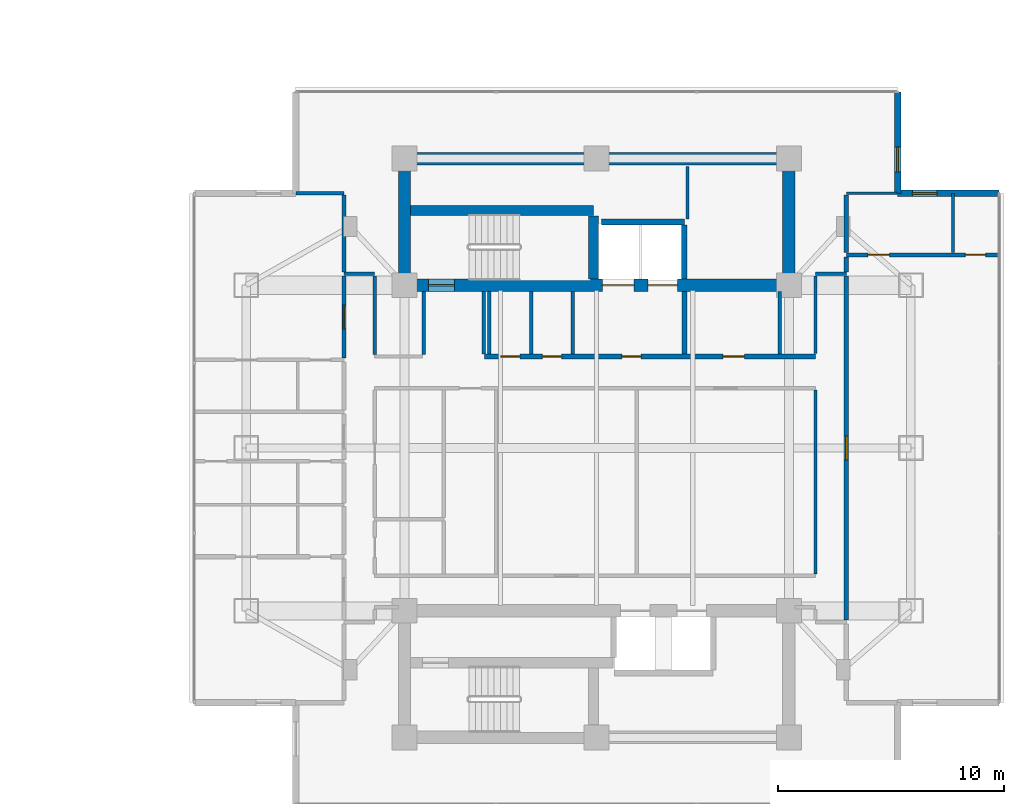
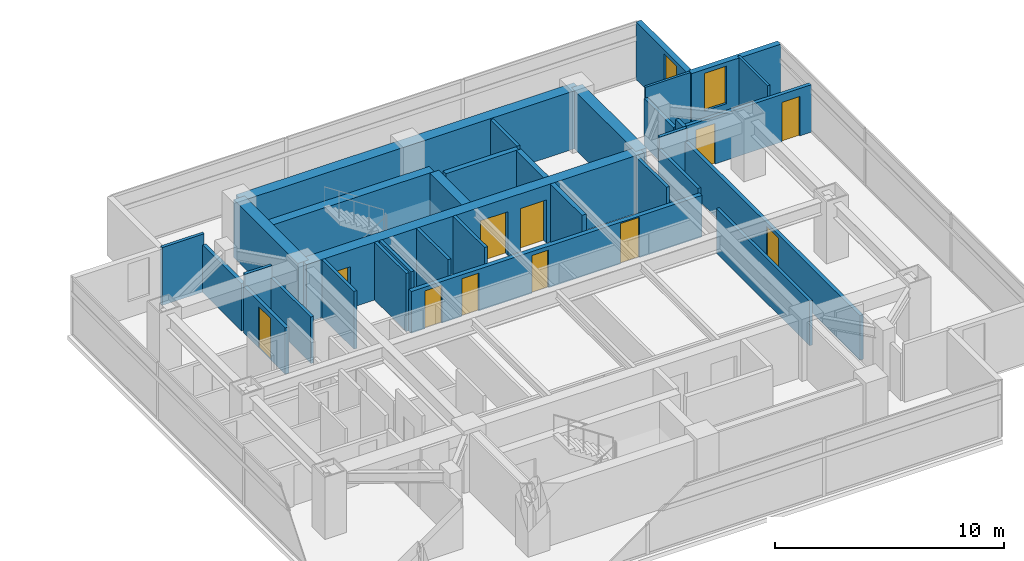
# One storey, part 18 of 25: 33 walls, 11 doors, 2 windows, 13 openings.
"""IFC4 building model written with IfcOpenShell, lengths in metres."""

from ifc_helpers import new_model, si_unit, direction, frame, frame_2d, origin, place, context, subcontext, project, spatial, rectangle, extrude, material, layer, layer_set, type_object, element, fill, save


model = new_model("IFC4")

# Units and contexts
model_context = context("Model", 3, precision=1e-05, world=origin(), true_north=direction((0.0, 1.0)))
body_context = subcontext(model_context, "Body", "Model", "MODEL_VIEW")
ifc_project = project(units=[si_unit("LENGTHUNIT", "METRE"), si_unit("AREAUNIT", "SQUARE_METRE"), si_unit("VOLUMEUNIT", "CUBIC_METRE"), si_unit("PLANEANGLEUNIT", "RADIAN"), si_unit("MASSUNIT", "GRAM", prefix="KILO")], contexts=[model_context])

# Site, building, storey
site_placement = place(None, origin())
site = spatial("IfcSite", under=ifc_project, at=site_placement, CompositionType="ELEMENT")
building_placement = place(site_placement, origin())
building = spatial("IfcBuilding", under=site, at=building_placement, Name="Mirazonda Arch Towers", CompositionType="ELEMENT")
storey_placement = place(building_placement, frame((0.0, 0.0, 131.300048828125)))
storey = spatial("IfcBuildingStorey", under=building, at=storey_placement, Name="L37", CompositionType="ELEMENT", Elevation=131.300048828125)

# Walls
ifc_material_1 = material(Name="Concrete C50/60", Category="concrete")
ifc_layer_1 = layer(ifc_material_1, 0.449951171875, Name="WALL-CORE-450")
ifc_layer_set_1 = layer_set([ifc_layer_1], Name="Concrete C50/60")
wall_type_1 = type_object("IfcWallType", Name="WALL-CORE-450", PredefinedType="SHEAR", material=ifc_layer_set_1)
wall_1_placement = place(storey_placement, frame((68.27001953125, 38.5, 0.0), z_axis=(0.0, 0.0, 1.0), x_axis=(1.0, 0.0, 0.0)))
element("IfcWall", 1, at=wall_1_placement, inside=storey, type_object=wall_type_1, Name="L37 Stair Core Shear Wall 054", PredefinedType="SHEAR", context=body_context, shape_type="SweptSolid", body=[
    extrude(rectangle(XDim=8.090087890625, YDim=0.449951171875, at=frame_2d((4.044921875, 0.0))), origin(), (0.0, 0.0, 1.0), 3.079833984375),
])
wall_2_placement = place(storey_placement, frame((76.360107421875, 35.469970703125, 0.0), z_axis=(0.0, 0.0, 1.0), x_axis=(0.0, 1.0, 0.0)))
element("IfcWall", 2, at=wall_2_placement, inside=storey, type_object=wall_type_1, Name="L37 Stair Core Shear Wall 148", PredefinedType="SHEAR", context=body_context, shape_type="SweptSolid", body=[
    extrude(rectangle(XDim=2.794921875, YDim=0.449951171875, at=frame_2d((1.3974609375, 0.0))), origin(), (0.0, 0.0, 1.0), 3.079833984375),
])
ifc_layer_2 = layer(ifc_material_1, 0.550048828125, Name="WALL-CORE-550")
ifc_layer_set_2 = layer_set([ifc_layer_2], Name="Concrete C50/60")
wall_type_2 = type_object("IfcWallType", Name="WALL-CORE-550", PredefinedType="SHEAR", material=ifc_layer_set_2)
wall_3_placement = place(storey_placement, frame((68.0, 40.800048828125, 0.0), z_axis=(0.0, 0.0, 1.0), x_axis=(1.0, 0.0, 0.0)))
element("IfcWall", 3, at=wall_3_placement, inside=storey, type_object=wall_type_2, Name="L37 T2N-N Core Shear Wall", PredefinedType="SHEAR", context=body_context, shape_type="SweptSolid", body=[
    extrude(rectangle(XDim=17.0, YDim=0.550048828125, at=frame_2d((8.5, 0.0))), origin(), (0.0, 0.0, 1.0), 3.079833984375),
])
for number, where, z_axis, x_axis, name in (
    (4, (68.0, 35.199951171875, 0.0), (0.0, 0.0, 1.0), (0.0, 1.0, 0.0), "L37 T2N-W Core Shear Wall"),
    (5, (85.0, 35.199951171875, 0.0), (0.0, 0.0, 1.0), (0.0, 1.0, 0.0), "L37 T2N-E Core Shear Wall"),
):
    element("IfcWall", number, at=place(storey_placement, frame(where, z_axis=z_axis, x_axis=x_axis)), inside=storey, type_object=wall_type_2, Name=name, PredefinedType="SHEAR", context=body_context, shape_type="SweptSolid", body=[
        extrude(rectangle(XDim=5.60009765625, YDim=0.550048828125, at=frame_2d((2.800048828125, 0.0))), origin(), (0.0, 0.0, 1.0), 3.079833984375),
    ])

# Wall, openings, doors
wall_4_placement = place(storey_placement, frame((68.0, 35.199951171875, 0.0), z_axis=(0.0, 0.0, 1.0), x_axis=(1.0, 0.0, 0.0)))
wall_4 = element("IfcWall", 6, at=wall_4_placement, inside=storey, type_object=wall_type_2, Name="L37 T2N-S Core Shear Wall", PredefinedType="SHEAR", context=body_context, shape_type="SweptSolid", body=[
    extrude(rectangle(XDim=17.0, YDim=0.550048828125, at=frame_2d((8.5, 0.0))), origin(), (0.0, 0.0, 1.0), 3.079833984375),
])
opening_1_placement = place(wall_4_placement, frame((1.06005859375, 0.0, 0.0)))
opening_1 = element("IfcOpeningElement", 7, at=opening_1_placement, cuts=wall_4, Name="Opening DR-135", PredefinedType="OPENING", context=body_context, shape_type="SweptSolid", body=[
    extrude(rectangle(XDim=1.14990234375, YDim=2.199951171875, at=frame_2d((0.574951171875, 1.10009765625))), frame((0.0, 0.284912109375, 0.0), z_axis=(0.0, -1.0, 0.0), x_axis=(1.0, 0.0, 0.0)), (0.0, 0.0, 1.0), 0.570068359375),
])
opening_2_placement = place(wall_4_placement, frame((8.75, 0.0, 0.0)))
opening_2 = element("IfcOpeningElement", 8, at=opening_2_placement, cuts=wall_4, Name="Opening LD-112", PredefinedType="OPENING", context=body_context, shape_type="SweptSolid", body=[
    extrude(rectangle(XDim=1.39990234375, YDim=2.35009765625, at=frame_2d((0.699951171875, 1.175048828125))), frame((0.0, 0.284912109375, 0.0), z_axis=(0.0, -1.0, 0.0), x_axis=(1.0, 0.0, 0.0)), (0.0, 0.0, 1.0), 0.570068359375),
])
opening_3_placement = place(wall_4_placement, frame((10.77001953125, 0.0, 0.0)))
opening_3 = element("IfcOpeningElement", 9, at=opening_3_placement, cuts=wall_4, Name="Opening LD-111", PredefinedType="OPENING", context=body_context, shape_type="SweptSolid", body=[
    extrude(rectangle(XDim=1.300048828125, YDim=2.300048828125, at=frame_2d((0.64990234375, 1.14990234375))), frame((0.0, 0.284912109375, 0.0), z_axis=(0.0, -1.0, 0.0), x_axis=(1.0, 0.0, 0.0)), (0.0, 0.0, 1.0), 0.570068359375),
])
ifc_material_2 = material(Name="Architectural Brushed Steel S355", Category="steel")
door_type_1 = type_object("IfcDoorType", Name="DOOR-LIFT-FFL-1400", OperationType="NOTDEFINED", PredefinedType="DOOR", material=ifc_material_2)
door_1_placement = place(opening_2_placement, origin())
door_1 = element("IfcDoor", 10, at=door_1_placement, inside=storey, type_object=door_type_1, Name="L37 Lift Landing Sliding Door FFL-T2", OperationType="DOUBLE_DOOR_SLIDING", OverallHeight=2.35009765625, OverallWidth=1.39990234375, PredefinedType="DOOR", context=body_context, shape_type="SweptSolid", body=[
    extrude(rectangle(XDim=1.39990234375, YDim=2.35009765625, at=frame_2d((0.699951171875, 1.175048828125))), frame((0.0, 0.02490234375, 0.0), z_axis=(0.0, -1.0, 0.0), x_axis=(1.0, 0.0, 0.0)), (0.0, 0.0, 1.0), 0.050048828125),
])
fill(opening_2, door_1)
door_type_2 = type_object("IfcDoorType", Name="DOOR-LIFT-LAND-1300", OperationType="NOTDEFINED", PredefinedType="DOOR", material=ifc_material_2)
door_2_placement = place(opening_3_placement, origin())
door_2 = element("IfcDoor", 11, at=door_2_placement, inside=storey, type_object=door_type_2, Name="L37 Lift Landing Sliding Door SVL-T2", OperationType="DOUBLE_DOOR_SLIDING", OverallHeight=2.300048828125, OverallWidth=1.300048828125, PredefinedType="DOOR", context=body_context, shape_type="SweptSolid", body=[
    extrude(rectangle(XDim=1.300048828125, YDim=2.300048828125, at=frame_2d((0.64990234375, 1.14990234375))), frame((0.0, 0.02490234375, 0.0), z_axis=(0.0, -1.0, 0.0), x_axis=(1.0, 0.0, 0.0)), (0.0, 0.0, 1.0), 0.050048828125),
])
fill(opening_3, door_2)
door_type_3 = type_object("IfcDoorType", Name="DOOR-STAIR-FD90-1150", OperationType="NOTDEFINED", PredefinedType="DOOR", material=ifc_material_2)
door_3_placement = place(opening_1_placement, origin())
door_3 = element("IfcDoor", 12, at=door_3_placement, inside=storey, type_object=door_type_3, Name="L37 East Protected Stair North Door", OperationType="SINGLE_SWING_LEFT", OverallHeight=2.199951171875, OverallWidth=1.14990234375, PredefinedType="DOOR", context=body_context, shape_type="SweptSolid", body=[
    extrude(rectangle(XDim=1.14990234375, YDim=2.199951171875, at=frame_2d((0.574951171875, 1.10009765625))), frame((0.0, 0.02490234375, 0.0), z_axis=(0.0, -1.0, 0.0), x_axis=(1.0, 0.0, 0.0)), (0.0, 0.0, 1.0), 0.050048828125),
])
fill(opening_1, door_3)

# Wall, opening, window
ifc_material_3 = material(Name="Precast Concrete C40/50", Category="concrete")
ifc_layer_3 = layer(ifc_material_3, 0.280029296875, Name="WALL-EXT-WALL-280")
ifc_layer_set_3 = layer_set([ifc_layer_3], Name="Precast Concrete C40/50")
wall_type_3 = type_object("IfcWallType", Name="WALL-EXT-WALL-280", PredefinedType="SOLIDWALL", material=ifc_layer_set_3)
wall_5_placement = place(storey_placement, frame((89.810546875, 39.265625, 0.0), z_axis=(0.0, 0.0, 1.0), x_axis=(0.0, 1.0, 0.0)))
wall_5 = element("IfcWall", 13, at=wall_5_placement, inside=storey, type_object=wall_type_3, Name="L37 T2 Notched NE Corner Wall WL-L37-T2-CNE", PredefinedType="SOLIDWALL", context=body_context, shape_type="SweptSolid", body=[
    extrude(rectangle(XDim=4.486572265625, YDim=0.280029296875, at=frame_2d((2.2431640625, 0.0))), origin(), (0.0, 0.0, 1.0), 3.06005859375),
])
opening_4_placement = place(wall_5_placement, frame((0.949951171875, 0.0, 0.85009765625)))
opening_4 = element("IfcOpeningElement", 14, at=opening_4_placement, cuts=wall_5, Name="Opening WN-108", PredefinedType="OPENING", context=body_context, shape_type="SweptSolid", body=[
    extrude(rectangle(XDim=1.10009765625, YDim=2.0, at=frame_2d((0.550048828125, 1.0))), frame((0.0, 0.14990234375, 0.0), z_axis=(0.0, -1.0, 0.0), x_axis=(1.0, 0.0, 0.0)), (0.0, 0.0, 1.0), 0.300048828125),
])
ifc_material_4 = material(Name="Insulated Low-E Solar Glass", Category="glass")
window_type = type_object("IfcWindowType", Name="WIN-NOTCH-1100x2000", PartitioningType="SINGLE_PANEL", PredefinedType="WINDOW", material=ifc_material_4)
window_1_placement = place(opening_4_placement, origin())
window_1 = element("IfcWindow", 15, at=window_1_placement, inside=storey, type_object=window_type, Name="L37 Punched Facade Window WN-L37-T2-CNE", OverallHeight=2.0, OverallWidth=1.10009765625, PartitioningType="SINGLE_PANEL", PredefinedType="WINDOW", context=body_context, shape_type="SweptSolid", body=[
    extrude(rectangle(XDim=1.10009765625, YDim=2.0, at=frame_2d((0.550048828125, 1.0))), frame((0.0, 0.030029296875, 0.0), z_axis=(0.0, -1.0, 0.0), x_axis=(1.0, 0.0, 0.0)), (0.0, 0.0, 1.0), 0.06005859375),
])
fill(opening_4, window_1)

wall_6_placement = place(storey_placement, frame((94.297119140625, 39.265625, 0.0), z_axis=(0.0, 0.0, 1.0), x_axis=(-1.0, 0.0, 0.0)))
wall_6 = element("IfcWall", 16, at=wall_6_placement, inside=storey, type_object=wall_type_3, Name="L37 T2 Corner Notch Return Wall WL-L37-T2-CNE2", PredefinedType="SOLIDWALL", context=body_context, shape_type="SweptSolid", body=[
    extrude(rectangle(XDim=4.486572265625, YDim=0.280029296875, at=frame_2d((2.2431640625, 0.0))), origin(), (0.0, 0.0, 1.0), 3.06005859375),
])
opening_5_placement = place(wall_6_placement, frame((2.737060546875, 0.0, 0.85009765625)))
opening_5 = element("IfcOpeningElement", 17, at=opening_5_placement, cuts=wall_6, Name="Opening WN-108", PredefinedType="OPENING", context=body_context, shape_type="SweptSolid", body=[
    extrude(rectangle(XDim=1.10009765625, YDim=2.0, at=frame_2d((0.550048828125, 1.0))), frame((0.0, 0.14990234375, 0.0), z_axis=(0.0, -1.0, 0.0), x_axis=(1.0, 0.0, 0.0)), (0.0, 0.0, 1.0), 0.300048828125),
])
window_2_placement = place(opening_5_placement, origin())
window_2 = element("IfcWindow", 18, at=window_2_placement, inside=storey, type_object=window_type, Name="L37 Punched Facade Window WN-L37-T2-CNE2", OverallHeight=2.0, OverallWidth=1.10009765625, PartitioningType="SINGLE_PANEL", PredefinedType="WINDOW", context=body_context, shape_type="SweptSolid", body=[
    extrude(rectangle(XDim=1.10009765625, YDim=2.0, at=frame_2d((0.550048828125, 1.0))), frame((0.0, 0.030029296875, 0.0), z_axis=(0.0, -1.0, 0.0), x_axis=(1.0, 0.0, 0.0)), (0.0, 0.0, 1.0), 0.06005859375),
])
fill(opening_5, window_2)

# Wall, openings, doors
ifc_material_5 = material(Name="Concrete C40/50", Category="concrete")
ifc_layer_4 = layer(ifc_material_5, 0.219970703125, Name="WALL-FFL-220")
ifc_layer_set_4 = layer_set([ifc_layer_4], Name="Concrete C40/50")
wall_type_4 = type_object("IfcWallType", Name="WALL-FFL-220", PredefinedType="SOLIDWALL", material=ifc_layer_set_4)
wall_7_placement = place(storey_placement, frame((71.550048828125, 32.050048828125, 0.0), z_axis=(0.0, 0.0, 1.0), x_axis=(1.0, 0.0, 0.0)))
wall_7 = element("IfcWall", 19, at=wall_7_placement, inside=storey, type_object=wall_type_4, Name="L37 Interior Partition 043", PredefinedType="SOLIDWALL", context=body_context, shape_type="SweptSolid", body=[
    extrude(rectangle(XDim=14.6298828125, YDim=0.219970703125, at=frame_2d((7.31494140625, 0.0))), origin(), (0.0, 0.0, 1.0), 2.216064453125),
])
opening_6_placement = place(wall_7_placement, frame((6.06494140625, 0.0, 0.0)))
opening_6 = element("IfcOpeningElement", 20, at=opening_6_placement, cuts=wall_7, Name="Opening DR-128", PredefinedType="OPENING", context=body_context, shape_type="SweptSolid", body=[
    extrude(rectangle(XDim=0.85009765625, YDim=2.010009765625, at=frame_2d((0.425048828125, 1.0048828125))), frame((0.0, 0.119873046875, 0.0), z_axis=(0.0, -1.0, 0.0), x_axis=(1.0, 0.0, 0.0)), (0.0, 0.0, 1.0), 0.239990234375),
])
opening_7_placement = place(wall_7_placement, frame((10.534912109375, 0.0, 0.0)))
opening_7 = element("IfcOpeningElement", 21, at=opening_7_placement, cuts=wall_7, Name="Opening DR-104", PredefinedType="OPENING", context=body_context, shape_type="SweptSolid", body=[
    extrude(rectangle(XDim=0.949951171875, YDim=2.14990234375, at=frame_2d((0.47509765625, 1.074951171875))), frame((0.0, 0.119873046875, 0.0), z_axis=(0.0, -1.0, 0.0), x_axis=(1.0, 0.0, 0.0)), (0.0, 0.0, 1.0), 0.239990234375),
])
opening_8_placement = place(wall_7_placement, frame((0.699951171875, 0.0, 0.0)))
opening_8 = element("IfcOpeningElement", 22, at=opening_8_placement, cuts=wall_7, Name="Opening DR-128", PredefinedType="OPENING", context=body_context, shape_type="SweptSolid", body=[
    extrude(rectangle(XDim=0.85009765625, YDim=2.010009765625, at=frame_2d((0.425048828125, 1.0048828125))), frame((0.0, 0.119873046875, 0.0), z_axis=(0.0, -1.0, 0.0), x_axis=(1.0, 0.0, 0.0)), (0.0, 0.0, 1.0), 0.239990234375),
])
opening_9_placement = place(wall_7_placement, frame((2.550048828125, 0.0, 0.0)))
opening_9 = element("IfcOpeningElement", 23, at=opening_9_placement, cuts=wall_7, Name="Opening DR-128", PredefinedType="OPENING", context=body_context, shape_type="SweptSolid", body=[
    extrude(rectangle(XDim=0.85009765625, YDim=2.010009765625, at=frame_2d((0.425048828125, 1.0048828125))), frame((0.0, 0.119873046875, 0.0), z_axis=(0.0, -1.0, 0.0), x_axis=(1.0, 0.0, 0.0)), (0.0, 0.0, 1.0), 0.239990234375),
])
door_type_4 = type_object("IfcDoorType", Name="DOOR-RISER-FD60-850", OperationType="NOTDEFINED", PredefinedType="DOOR", material=ifc_material_2)
door_4_placement = place(opening_6_placement, origin())
door_4 = element("IfcDoor", 24, at=door_4_placement, inside=storey, type_object=door_type_4, Name="L37 East Firefighting Lift Lobby Door", OperationType="SINGLE_SWING_RIGHT", OverallHeight=2.010009765625, OverallWidth=0.85009765625, PredefinedType="DOOR", context=body_context, shape_type="SweptSolid", body=[
    extrude(rectangle(XDim=0.85009765625, YDim=2.010009765625, at=frame_2d((0.425048828125, 1.0048828125))), frame((0.0, 0.02490234375, 0.0), z_axis=(0.0, -1.0, 0.0), x_axis=(1.0, 0.0, 0.0)), (0.0, 0.0, 1.0), 0.050048828125),
])
fill(opening_6, door_4)
door_5_placement = place(opening_8_placement, origin())
door_5 = element("IfcDoor", 25, at=door_5_placement, inside=storey, type_object=door_type_4, Name="L37 Tower 2 Electrical Room Door", OperationType="SINGLE_SWING_RIGHT", OverallHeight=2.010009765625, OverallWidth=0.85009765625, PredefinedType="DOOR", context=body_context, shape_type="SweptSolid", body=[
    extrude(rectangle(XDim=0.85009765625, YDim=2.010009765625, at=frame_2d((0.425048828125, 1.0048828125))), frame((0.0, 0.02490234375, 0.0), z_axis=(0.0, -1.0, 0.0), x_axis=(1.0, 0.0, 0.0)), (0.0, 0.0, 1.0), 0.050048828125),
])
fill(opening_8, door_5)
door_6_placement = place(opening_9_placement, origin())
door_6 = element("IfcDoor", 26, at=door_6_placement, inside=storey, type_object=door_type_4, Name="L37 Tower 2 Cleaners Store Door", OperationType="SINGLE_SWING_LEFT", OverallHeight=2.010009765625, OverallWidth=0.85009765625, PredefinedType="DOOR", context=body_context, shape_type="SweptSolid", body=[
    extrude(rectangle(XDim=0.85009765625, YDim=2.010009765625, at=frame_2d((0.425048828125, 1.0048828125))), frame((0.0, 0.02490234375, 0.0), z_axis=(0.0, -1.0, 0.0), x_axis=(1.0, 0.0, 0.0)), (0.0, 0.0, 1.0), 0.050048828125),
])
fill(opening_9, door_6)
door_type_5 = type_object("IfcDoorType", Name="DOOR-ROOM-950", OperationType="NOTDEFINED", PredefinedType="DOOR", material=ifc_material_2)
door_7_placement = place(opening_7_placement, origin())
door_7 = element("IfcDoor", 27, at=door_7_placement, inside=storey, type_object=door_type_5, Name="L37 East Sky Reading Library Door", OperationType="SINGLE_SWING_LEFT", OverallHeight=2.14990234375, OverallWidth=0.949951171875, PredefinedType="DOOR", context=body_context, shape_type="SweptSolid", body=[
    extrude(rectangle(XDim=0.949951171875, YDim=2.14990234375, at=frame_2d((0.47509765625, 1.074951171875))), frame((0.0, 0.02490234375, 0.0), z_axis=(0.0, -1.0, 0.0), x_axis=(1.0, 0.0, 0.0)), (0.0, 0.0, 1.0), 0.050048828125),
])
fill(opening_7, door_7)

# Walls
wall_8_placement = place(storey_placement, frame((80.3798828125, 32.169921875, 0.0), z_axis=(0.0, 0.0, 1.0), x_axis=(0.0, 1.0, 0.0)))
element("IfcWall", 28, at=wall_8_placement, inside=storey, type_object=wall_type_4, Name="L37 Interior Partition 151", PredefinedType="SOLIDWALL", context=body_context, shape_type="SweptSolid", body=[
    extrude(rectangle(XDim=2.760009765625, YDim=0.219970703125, at=frame_2d((1.3798828125, 0.0))), origin(), (0.0, 0.0, 1.0), 3.079833984375),
])
ifc_material_6 = material(Name="Fire-Rated Gypsum Stud Partition")
ifc_layer_5 = layer(ifc_material_6, 0.14990234375, Name="WALL-PART-CORR-150")
ifc_layer_set_5 = layer_set([ifc_layer_5], Name="Fire-Rated Gypsum Stud Partition")
wall_type_5 = type_object("IfcWallType", Name="WALL-PART-CORR-150", PredefinedType="PARTITIONING", material=ifc_layer_set_5)
wall_9_placement = place(storey_placement, frame((65.320068359375, 35.699951171875, 0.0), z_axis=(0.0, 0.0, 1.0), x_axis=(1.0, 0.0, 0.0)))
element("IfcWall", 29, at=wall_9_placement, inside=storey, type_object=wall_type_5, Name="L37 Interior Partition 049", PredefinedType="PARTITIONING", context=body_context, shape_type="SweptSolid", body=[
    extrude(rectangle(XDim=1.35986328125, YDim=0.14990234375, at=frame_2d((0.679931640625, 0.0))), origin(), (0.0, 0.0, 1.0), 3.079833984375),
])
wall_10_placement = place(storey_placement, frame((86.179931640625, 35.699951171875, 0.0), z_axis=(0.0, 0.0, 1.0), x_axis=(1.0, 0.0, 0.0)))
element("IfcWall", 30, at=wall_10_placement, inside=storey, type_object=wall_type_5, Name="L37 Interior Partition 050", PredefinedType="PARTITIONING", context=body_context, shape_type="SweptSolid", body=[
    extrude(rectangle(XDim=1.360107421875, YDim=0.14990234375, at=frame_2d((0.68017578125, 0.0))), origin(), (0.0, 0.0, 1.0), 3.079833984375),
])
wall_11_placement = place(storey_placement, frame((63.20947265625, 39.26611328125, 0.0), z_axis=(0.0, 0.0, 1.0), x_axis=(1.0, 0.0, 0.0)))
element("IfcWall", 31, at=wall_11_placement, inside=storey, type_object=wall_type_5, Name="L37 Interior Partition 055", PredefinedType="PARTITIONING", context=body_context, shape_type="SweptSolid", body=[
    extrude(rectangle(XDim=2.110595703125, YDim=0.14990234375, at=frame_2d((1.05517578125, 0.0))), origin(), (0.0, 0.0, 1.0), 3.079833984375),
])
wall_12_placement = place(storey_placement, frame((66.679931640625, 32.135009765625, 0.0), z_axis=(0.0, 0.0, 1.0), x_axis=(0.0, 1.0, 0.0)))
element("IfcWall", 32, at=wall_12_placement, inside=storey, type_object=wall_type_5, Name="L37 Interior Partition 138", PredefinedType="PARTITIONING", context=body_context, shape_type="SweptSolid", body=[
    extrude(rectangle(XDim=3.47998046875, YDim=0.14990234375, at=frame_2d((1.739990234375, 0.0))), origin(), (0.0, 0.0, 1.0), 2.471923828125),
])
wall_13_placement = place(storey_placement, frame((68.85009765625, 32.135009765625, 0.0), z_axis=(0.0, 0.0, 1.0), x_axis=(0.0, 1.0, 0.0)))
element("IfcWall", 33, at=wall_13_placement, inside=storey, type_object=wall_type_5, Name="L37 Interior Partition 139", PredefinedType="PARTITIONING", context=body_context, shape_type="SweptSolid", body=[
    extrude(rectangle(XDim=2.794921875, YDim=0.14990234375, at=frame_2d((1.3974609375, 0.0))), origin(), (0.0, 0.0, 1.0), 3.079833984375),
])
for number, where, z_axis, x_axis, name in (
    (34, (71.5, 32.169921875, 0.0), (0.0, 0.0, 1.0), (0.0, 1.0, 0.0), "L37 Interior Partition 142"),
    (35, (71.75, 32.169921875, 0.0), (0.0, 0.0, 1.0), (0.0, 1.0, 0.0), "L37 Interior Partition 143"),
    (36, (73.60009765625, 32.169921875, 0.0), (0.0, 0.0, 1.0), (0.0, 1.0, 0.0), "L37 Interior Partition 145"),
    (37, (75.449951171875, 32.169921875, 0.0), (0.0, 0.0, 1.0), (0.0, 1.0, 0.0), "L37 Interior Partition 146"),
):
    element("IfcWall", number, at=place(storey_placement, frame(where, z_axis=z_axis, x_axis=x_axis)), inside=storey, type_object=wall_type_5, Name=name, PredefinedType="PARTITIONING", context=body_context, shape_type="SweptSolid", body=[
        extrude(rectangle(XDim=2.760009765625, YDim=0.14990234375, at=frame_2d((1.3798828125, 0.0))), origin(), (0.0, 0.0, 1.0), 3.079833984375),
    ])
wall_14_placement = place(storey_placement, frame((80.52001953125, 38.135009765625, 0.0), z_axis=(0.0, 0.0, 1.0), x_axis=(0.0, 1.0, 0.0)))
element("IfcWall", 38, at=wall_14_placement, inside=storey, type_object=wall_type_5, Name="L37 Interior Partition 153", PredefinedType="PARTITIONING", context=body_context, shape_type="SweptSolid", body=[
    extrude(rectangle(XDim=2.31494140625, YDim=0.14990234375, at=frame_2d((1.157470703125, 0.0))), origin(), (0.0, 0.0, 1.0), 3.079833984375),
])
wall_15_placement = place(storey_placement, frame((84.60009765625, 32.169921875, 0.0), z_axis=(0.0, 0.0, 1.0), x_axis=(0.0, 1.0, 0.0)))
element("IfcWall", 39, at=wall_15_placement, inside=storey, type_object=wall_type_5, Name="L37 Interior Partition 155", PredefinedType="PARTITIONING", context=body_context, shape_type="SweptSolid", body=[
    extrude(rectangle(XDim=2.760009765625, YDim=0.14990234375, at=frame_2d((1.3798828125, 0.0))), origin(), (0.0, 0.0, 1.0), 3.079833984375),
])
wall_16_placement = place(storey_placement, frame((86.179931640625, 22.43505859375, 0.0), z_axis=(0.0, 0.0, 1.0), x_axis=(0.0, 1.0, 0.0)))
element("IfcWall", 40, at=wall_16_placement, inside=storey, type_object=wall_type_5, Name="L37 Interior Partition 157", PredefinedType="PARTITIONING", context=body_context, shape_type="SweptSolid", body=[
    extrude(rectangle(XDim=8.1298828125, YDim=0.14990234375, at=frame_2d((4.06494140625, 0.0))), origin(), (0.0, 0.0, 1.0), 2.3759765625),
])
wall_17_placement = place(storey_placement, frame((86.179931640625, 32.169921875, 0.0), z_axis=(0.0, 0.0, 1.0), x_axis=(0.0, 1.0, 0.0)))
element("IfcWall", 41, at=wall_17_placement, inside=storey, type_object=wall_type_5, Name="L37 Interior Partition 158", PredefinedType="PARTITIONING", context=body_context, shape_type="SweptSolid", body=[
    extrude(rectangle(XDim=3.445068359375, YDim=0.14990234375, at=frame_2d((1.72265625, 0.0))), origin(), (0.0, 0.0, 1.0), 2.471923828125),
])

# Wall, openings, doors
ifc_material_7 = material(Name="Fire-Rated Gypsum Twin-Stud Assembly")
ifc_layer_6 = layer(ifc_material_7, 0.179931640625, Name="WALL-PART-DEMISE-180")
ifc_layer_set_6 = layer_set([ifc_layer_6], Name="Fire-Rated Gypsum Twin-Stud Assembly")
wall_type_6 = type_object("IfcWallType", Name="WALL-PART-DEMISE-180", PredefinedType="PARTITIONING", material=ifc_layer_set_6)
wall_18_placement = place(storey_placement, frame((87.5400390625, 36.5458984375, 0.0), z_axis=(0.0, 0.0, 1.0), x_axis=(1.0, 0.0, 0.0)))
wall_18 = element("IfcWall", 42, at=wall_18_placement, inside=storey, type_object=wall_type_6, Name="L37 Interior Partition 051", PredefinedType="PARTITIONING", context=body_context, shape_type="SweptSolid", body=[
    extrude(rectangle(XDim=6.757080078125, YDim=0.179931640625, at=frame_2d((3.37841796875, 0.0))), origin(), (0.0, 0.0, 1.0), 2.52294921875),
])
opening_10_placement = place(wall_18_placement, frame((0.95361328125, 0.0, 0.0)))
opening_10 = element("IfcOpeningElement", 43, at=opening_10_placement, cuts=wall_18, Name="Opening DR-104", PredefinedType="OPENING", context=body_context, shape_type="SweptSolid", body=[
    extrude(rectangle(XDim=0.949951171875, YDim=2.14990234375, at=frame_2d((0.47509765625, 1.074951171875))), frame((0.0, 0.099853515625, 0.0), z_axis=(0.0, -1.0, 0.0), x_axis=(1.0, 0.0, 0.0)), (0.0, 0.0, 1.0), 0.199951171875),
])
opening_11_placement = place(wall_18_placement, frame((5.26708984375, 0.0, 0.0)))
opening_11 = element("IfcOpeningElement", 44, at=opening_11_placement, cuts=wall_18, Name="Opening DR-120", PredefinedType="OPENING", context=body_context, shape_type="SweptSolid", body=[
    extrude(rectangle(XDim=0.89990234375, YDim=2.10009765625, at=frame_2d((0.449951171875, 1.050048828125))), frame((0.0, 0.099853515625, 0.0), z_axis=(0.0, -1.0, 0.0), x_axis=(1.0, 0.0, 0.0)), (0.0, 0.0, 1.0), 0.199951171875),
])
door_8_placement = place(opening_10_placement, origin())
door_8 = element("IfcDoor", 45, at=door_8_placement, inside=storey, type_object=door_type_5, Name="L37 Suite Bedroom 1 Door", OperationType="SINGLE_SWING_RIGHT", OverallHeight=2.14990234375, OverallWidth=0.949951171875, PredefinedType="DOOR", context=body_context, shape_type="SweptSolid", body=[
    extrude(rectangle(XDim=0.949951171875, YDim=2.14990234375, at=frame_2d((0.47509765625, 1.074951171875))), frame((0.0, 0.02490234375, 0.0), z_axis=(0.0, -1.0, 0.0), x_axis=(1.0, 0.0, 0.0)), (0.0, 0.0, 1.0), 0.050048828125),
])
fill(opening_10, door_8)
door_type_6 = type_object("IfcDoorType", Name="DOOR-WC-900", OperationType="NOTDEFINED", PredefinedType="DOOR", material=ifc_material_2)
door_9_placement = place(opening_11_placement, origin())
door_9 = element("IfcDoor", 46, at=door_9_placement, inside=storey, type_object=door_type_6, Name="L37 Suite En-Suite Bathroom 1 Door", OperationType="SINGLE_SWING_LEFT", OverallHeight=2.10009765625, OverallWidth=0.89990234375, PredefinedType="DOOR", context=body_context, shape_type="SweptSolid", body=[
    extrude(rectangle(XDim=0.89990234375, YDim=2.10009765625, at=frame_2d((0.449951171875, 1.050048828125))), frame((0.0, 0.02490234375, 0.0), z_axis=(0.0, -1.0, 0.0), x_axis=(1.0, 0.0, 0.0)), (0.0, 0.0, 1.0), 0.050048828125),
])
fill(opening_11, door_9)

# Wall, opening, door
wall_19_placement = place(storey_placement, frame((65.320068359375, 31.98095703125, 0.0), z_axis=(0.0, 0.0, 1.0), x_axis=(0.0, 1.0, 0.0)))
wall_19 = element("IfcWall", 47, at=wall_19_placement, inside=storey, type_object=wall_type_6, Name="L37 Interior Partition 133", PredefinedType="PARTITIONING", context=body_context, shape_type="SweptSolid", body=[
    extrude(rectangle(XDim=3.634033203125, YDim=0.179931640625, at=frame_2d((1.81689453125, 0.0))), origin(), (0.0, 0.0, 1.0), 2.471923828125),
])
opening_12_placement = place(wall_19_placement, frame((1.2919921875, 0.0, 0.0)))
opening_12 = element("IfcOpeningElement", 48, at=opening_12_placement, cuts=wall_19, Name="Opening DR-121", PredefinedType="OPENING", context=body_context, shape_type="SweptSolid", body=[
    extrude(rectangle(XDim=1.050048828125, YDim=2.199951171875, at=frame_2d((0.52490234375, 1.10009765625))), frame((0.0, 0.099853515625, 0.0), z_axis=(0.0, -1.0, 0.0), x_axis=(1.0, 0.0, 0.0)), (0.0, 0.0, 1.0), 0.199951171875),
])
door_type_7 = type_object("IfcDoorType", Name="DOOR-SUITE-FD60-1050", OperationType="NOTDEFINED", PredefinedType="DOOR", material=ifc_material_2)
door_10_placement = place(opening_12_placement, origin())
door_10 = element("IfcDoor", 49, at=door_10_placement, inside=storey, type_object=door_type_7, Name="L37 King Hotel Guestroom 3 Door", OperationType="SINGLE_SWING_RIGHT", OverallHeight=2.199951171875, OverallWidth=1.050048828125, PredefinedType="DOOR", context=body_context, shape_type="SweptSolid", body=[
    extrude(rectangle(XDim=1.050048828125, YDim=2.199951171875, at=frame_2d((0.52490234375, 1.10009765625))), frame((0.0, 0.02490234375, 0.0), z_axis=(0.0, -1.0, 0.0), x_axis=(1.0, 0.0, 0.0)), (0.0, 0.0, 1.0), 0.050048828125),
])
fill(opening_12, door_10)

# Wall
wall_20_placement = place(storey_placement, frame((65.320068359375, 35.784912109375, 0.0), z_axis=(0.0, 0.0, 1.0), x_axis=(0.0, 1.0, 0.0)))
element("IfcWall", 50, at=wall_20_placement, inside=storey, type_object=wall_type_6, Name="L37 Interior Partition 134", PredefinedType="PARTITIONING", context=body_context, shape_type="SweptSolid", body=[
    extrude(rectangle(XDim=3.39599609375, YDim=0.179931640625, at=frame_2d((1.697998046875, 0.0))), origin(), (0.0, 0.0, 1.0), 2.52294921875),
])

# Wall, opening, door
wall_21_placement = place(storey_placement, frame((87.5400390625, 20.385009765625, 0.0), z_axis=(0.0, 0.0, 1.0), x_axis=(0.0, 1.0, 0.0)))
wall_21 = element("IfcWall", 51, at=wall_21_placement, inside=storey, type_object=wall_type_6, Name="L37 Interior Partition 160", PredefinedType="PARTITIONING", context=body_context, shape_type="SweptSolid", body=[
    extrude(rectangle(XDim=15.22998046875, YDim=0.179931640625, at=frame_2d((7.614990234375, 0.0))), origin(), (0.0, 0.0, 1.0), 2.3759765625),
])
opening_13_placement = place(wall_21_placement, frame((7.090087890625, 0.0, 0.0)))
opening_13 = element("IfcOpeningElement", 52, at=opening_13_placement, cuts=wall_21, Name="Opening DR-121", PredefinedType="OPENING", context=body_context, shape_type="SweptSolid", body=[
    extrude(rectangle(XDim=1.050048828125, YDim=2.199951171875, at=frame_2d((0.52490234375, 1.10009765625))), frame((0.0, 0.099853515625, 0.0), z_axis=(0.0, -1.0, 0.0), x_axis=(1.0, 0.0, 0.0)), (0.0, 0.0, 1.0), 0.199951171875),
])
door_11_placement = place(opening_13_placement, origin())
door_11 = element("IfcDoor", 53, at=door_11_placement, inside=storey, type_object=door_type_7, Name="L37 Presidential Hotel Suite 1 Door", OperationType="SINGLE_SWING_LEFT", OverallHeight=2.199951171875, OverallWidth=1.050048828125, PredefinedType="DOOR", context=body_context, shape_type="SweptSolid", body=[
    extrude(rectangle(XDim=1.050048828125, YDim=2.199951171875, at=frame_2d((0.52490234375, 1.10009765625))), frame((0.0, 0.02490234375, 0.0), z_axis=(0.0, -1.0, 0.0), x_axis=(1.0, 0.0, 0.0)), (0.0, 0.0, 1.0), 0.050048828125),
])
fill(opening_13, door_11)

# Walls
wall_22_placement = place(storey_placement, frame((87.5400390625, 35.784912109375, 0.0), z_axis=(0.0, 0.0, 1.0), x_axis=(0.0, 1.0, 0.0)))
element("IfcWall", 54, at=wall_22_placement, inside=storey, type_object=wall_type_6, Name="L37 Interior Partition 161", PredefinedType="PARTITIONING", context=body_context, shape_type="SweptSolid", body=[
    extrude(rectangle(XDim=0.6611328125, YDim=0.179931640625, at=frame_2d((0.33056640625, 0.0))), origin(), (0.0, 0.0, 1.0), 3.079833984375),
])
wall_23_placement = place(storey_placement, frame((87.5400390625, 36.64599609375, 0.0), z_axis=(0.0, 0.0, 1.0), x_axis=(0.0, 1.0, 0.0)))
element("IfcWall", 55, at=wall_23_placement, inside=storey, type_object=wall_type_6, Name="L37 Interior Partition 162", PredefinedType="PARTITIONING", context=body_context, shape_type="SweptSolid", body=[
    extrude(rectangle(XDim=2.547607421875, YDim=0.179931640625, at=frame_2d((1.27392578125, 0.0))), origin(), (0.0, 0.0, 1.0), 2.52294921875),
])
ifc_material_8 = material(Name="Acoustic Fire-Rated Gypsum Partition")
ifc_layer_7 = layer(ifc_material_8, 0.125, Name="WALL-PART-UNIT-125")
ifc_layer_set_7 = layer_set([ifc_layer_7], Name="Acoustic Fire-Rated Gypsum Partition")
wall_type_7 = type_object("IfcWallType", Name="WALL-PART-UNIT-125", PredefinedType="PARTITIONING", material=ifc_layer_set_7)
wall_24_placement = place(storey_placement, frame((87.5400390625, 39.26611328125, 0.0), z_axis=(0.0, 0.0, 1.0), x_axis=(1.0, 0.0, 0.0)))
element("IfcWall", 56, at=wall_24_placement, inside=storey, type_object=wall_type_7, Name="L37 Interior Partition 056", PredefinedType="PARTITIONING", context=body_context, shape_type="SweptSolid", body=[
    extrude(rectangle(XDim=2.25048828125, YDim=0.125, at=frame_2d((1.125244140625, 0.0))), origin(), (0.0, 0.0, 1.0), 3.079833984375),
])
wall_25_placement = place(storey_placement, frame((92.257080078125, 36.64599609375, 0.0), z_axis=(0.0, 0.0, 1.0), x_axis=(0.0, 1.0, 0.0)))
element("IfcWall", 57, at=wall_25_placement, inside=storey, type_object=wall_type_7, Name="L37 Interior Partition 163", PredefinedType="PARTITIONING", context=body_context, shape_type="SweptSolid", body=[
    extrude(rectangle(XDim=2.6201171875, YDim=0.125, at=frame_2d((1.31005859375, 0.0))), origin(), (0.0, 0.0, 1.0), 3.079833984375),
])
ifc_layer_8 = layer(ifc_material_5, 0.25, Name="WALL-SHAFT-250")
ifc_layer_set_8 = layer_set([ifc_layer_8], Name="Concrete C40/50")
wall_type_8 = type_object("IfcWallType", Name="WALL-SHAFT-250", PredefinedType="SOLIDWALL", material=ifc_layer_set_8)
wall_26_placement = place(storey_placement, frame((76.719970703125, 38.0, 0.0), z_axis=(0.0, 0.0, 1.0), x_axis=(1.0, 0.0, 0.0)))
element("IfcWall", 58, at=wall_26_placement, inside=storey, type_object=wall_type_8, Name="L37 Interior Partition 053", PredefinedType="SOLIDWALL", context=body_context, shape_type="SweptSolid", body=[
    extrude(rectangle(XDim=3.659912109375, YDim=0.25, at=frame_2d((1.830078125, 0.0))), origin(), (0.0, 0.0, 1.0), 3.079833984375),
])
wall_27_placement = place(storey_placement, frame((80.3798828125, 35.469970703125, 0.0), z_axis=(0.0, 0.0, 1.0), x_axis=(0.0, 1.0, 0.0)))
element("IfcWall", 59, at=wall_27_placement, inside=storey, type_object=wall_type_8, Name="L37 Interior Partition 152", PredefinedType="SOLIDWALL", context=body_context, shape_type="SweptSolid", body=[
    extrude(rectangle(XDim=2.39501953125, YDim=0.25, at=frame_2d((1.197509765625, 0.0))), origin(), (0.0, 0.0, 1.0), 3.079833984375),
])

save(model, "model.ifc")
